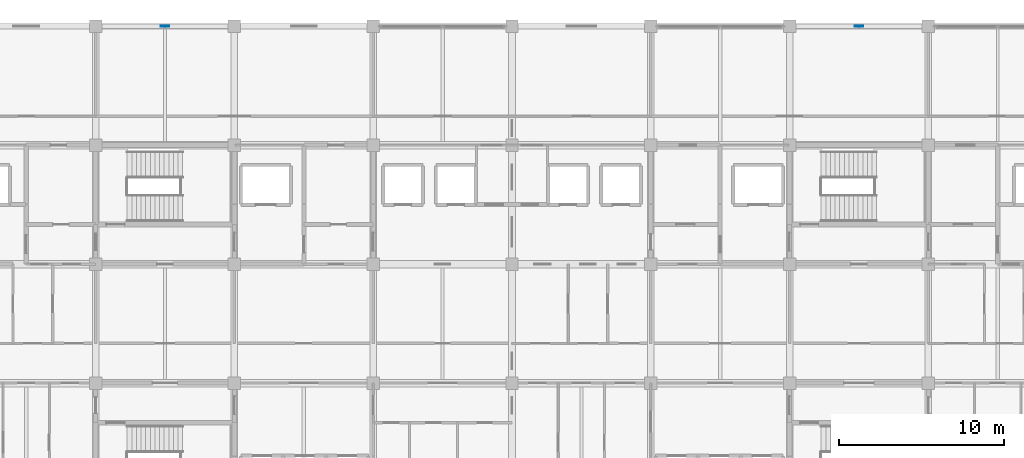
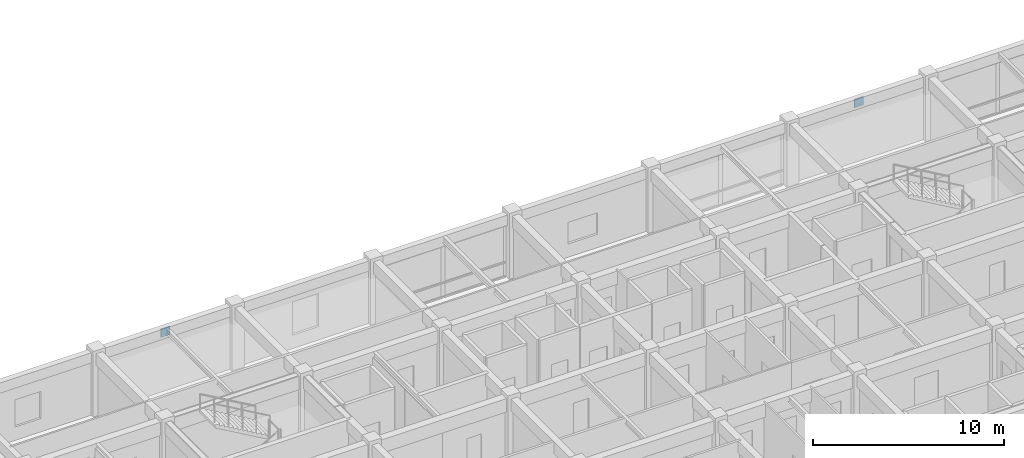
# One storey, part 10 of 23: 2 plates.
"""IFC4 building model written with IfcOpenShell, lengths in metres."""

from ifc_helpers import new_model, si_unit, direction, frame, origin, origin_2d, place, context, subcontext, project, spatial, rectangle, extrude, material, layer, layer_set, type_object, element, save


model = new_model("IFC4")

# Units and contexts
model_context = context("Model", 3, precision=1e-05, world=origin(), true_north=direction((0.0, 1.0)))
body_context = subcontext(model_context, "Body", "Model", "MODEL_VIEW")
ifc_project = project(units=[si_unit("LENGTHUNIT", "METRE"), si_unit("AREAUNIT", "SQUARE_METRE"), si_unit("VOLUMEUNIT", "CUBIC_METRE"), si_unit("PLANEANGLEUNIT", "RADIAN"), si_unit("MASSUNIT", "GRAM", prefix="KILO")], contexts=[model_context])

# Site, building, storey
site_placement = place(None, origin())
site = spatial("IfcSite", under=ifc_project, at=site_placement, CompositionType="ELEMENT")
building_placement = place(site_placement, origin())
building = spatial("IfcBuilding", under=site, at=building_placement, Name="Chengyuan Square Courthouse", CompositionType="ELEMENT")
storey_placement = place(building_placement, frame((0.0, 0.0, 43.5)))
storey = spatial("IfcBuildingStorey", under=building, at=storey_placement, Name="L10", CompositionType="ELEMENT", Elevation=43.5)

# Plates
ifc_material = material(Name="Steel Q355B", Category="steel")
ifc_layer = layer(ifc_material, 0.0400390625)
ifc_layer_set = layer_set([ifc_layer], Name="Steel Q355B")
plate_type = type_object("IfcPlateType", Name="GP-03", PredefinedType="SHEET", material=ifc_layer_set)
for number, where, z_axis, x_axis, name in (
    (1, (63.0, 115.199951171875, 3.3798828125), (0.0, 0.0, 1.0), (1.0, 0.0, 0.0), "Brace Gusset Plate GP-L10-07"),
    (2, (105.0, 115.199951171875, 3.3798828125), (0.0, 0.0, 1.0), (1.0, 0.0, 0.0), "Brace Gusset Plate GP-L10-12"),
):
    element("IfcPlate", number, at=place(storey_placement, frame(where, z_axis=z_axis, x_axis=x_axis)), inside=storey, type_object=plate_type, Name=name, PredefinedType="SHEET", context=body_context, shape_type="SweptSolid", body=[
        extrude(rectangle(XDim=0.5400390625, YDim=0.0400390625, at=origin_2d()), origin(), (0.0, 0.0, 1.0), 0.5400390625),
    ])

save(model, "model.ifc")
